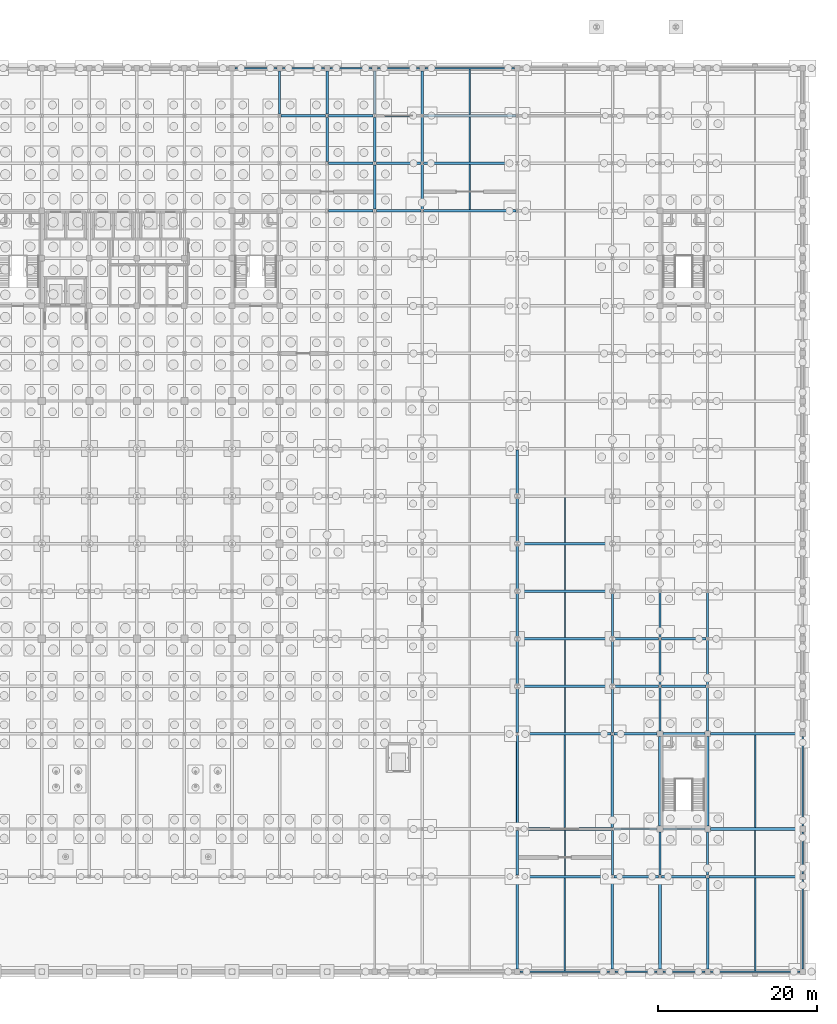
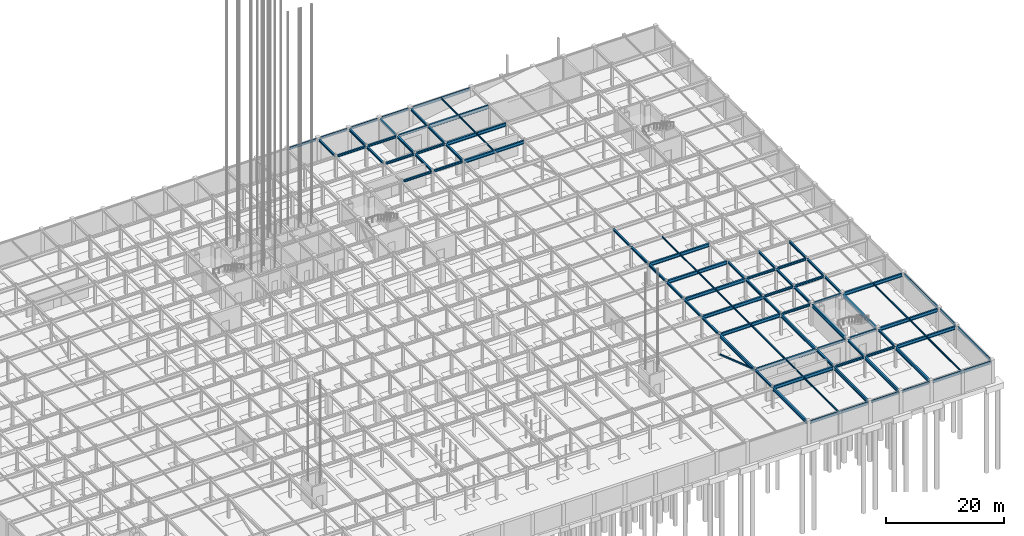
# One storey, part 40 of 69: 92 beams, 1 member.
"""IFC4 building model written with IfcOpenShell, lengths in metres."""

import ifcopenshell
import ifcopenshell.guid

model = None  # the IFC model being written
_history = None  # IfcOwnerHistory: only IFC2X3 demands one
_inside = {}  # id of a spatial element -> (the spatial element, [elements in it])
_under = {}  # id of a project, library or spatial element -> (it, [spatial elements below it])
_declared = {}  # id of a project -> (the project, [libraries it declares])
_typed = {}  # id of a type object -> (the type object, [elements of that type])
_made_of = {}  # id of a material, layer set ... -> (it, [elements and type objects made of it])


def new_model(schema):
    """Start an empty IFC model of exactly this schema.

    Asked for "IFC4X3", IfcOpenShell would pick the latest addendum, in which some entities
    have other attributes; the version numbers below select the first issue.
    IFC2X3 requires an IfcOwnerHistory on every rooted entity: one is made here for all.
    """
    global model, _history
    if schema == "IFC4X3":
        model = ifcopenshell.file(schema_version=(4, 3, 0, 0))
    else:
        model = ifcopenshell.file(schema=schema)
    _inside.clear()
    _under.clear()
    _declared.clear()
    _typed.clear()
    _made_of.clear()
    _history = None
    if model.schema == "IFC2X3":
        org = make("IfcOrganization", Name="unknown")
        user = make(
            "IfcPersonAndOrganization",
            ThePerson=make("IfcPerson", FamilyName="unknown"),
            TheOrganization=org,
        )
        app = make(
            "IfcApplication",
            ApplicationDeveloper=org,
            Version="unknown",
            ApplicationFullName="unknown",
            ApplicationIdentifier="unknown",
        )
        _history = make(
            "IfcOwnerHistory",
            OwningUser=user,
            OwningApplication=app,
            ChangeAction="ADDED",
            CreationDate=0,
        )
    return model


def make(cls, **values):
    """One entity of the class cls with the attributes given. An attribute that is None is left unset."""
    return model.create_entity(
        cls, **{name: value for name, value in values.items() if value is not None}
    )


def rooted(cls, **values):
    """An entity with a GlobalId (a new one), such as an element, a storey or a relation."""
    return make(cls, GlobalId=ifcopenshell.guid.new(), OwnerHistory=_history, **values)


def si_unit(unit_type, name, prefix=None):
    """IfcSIUnit, for example si_unit("LENGTHUNIT", "METRE", prefix="MILLI")."""
    return make("IfcSIUnit", UnitType=unit_type, Prefix=prefix, Name=name)


def assignment(units):
    """IfcUnitAssignment: the units of a project."""
    return None if units is None else make("IfcUnitAssignment", Units=units)


def point(xyz):
    """IfcCartesianPoint."""
    return None if xyz is None else make("IfcCartesianPoint", Coordinates=xyz)


def direction(xyz):
    """IfcDirection."""
    return None if xyz is None else make("IfcDirection", DirectionRatios=xyz)


def frame(location, z_axis=None, x_axis=None):
    """IfcAxis2Placement3D, a coordinate frame: its origin and axes. An axis left out is left unset."""
    return make(
        "IfcAxis2Placement3D",
        Location=point(location),
        Axis=direction(z_axis),
        RefDirection=direction(x_axis),
    )


def frame_2d(location, x_axis=None):
    """IfcAxis2Placement2D, a coordinate frame in the plane: its origin and x axis."""
    return make(
        "IfcAxis2Placement2D", Location=point(location), RefDirection=direction(x_axis)
    )


def origin():
    """The frame at (0, 0, 0) with its axes left unset."""
    return frame((0.0, 0.0, 0.0))


def origin_2d():
    """The frame at (0, 0) in the plane with its x axis left unset."""
    return frame_2d((0.0, 0.0))


def place(relative_to, where):
    """IfcLocalPlacement: puts the frame where relative to a parent placement (None: the world)."""
    return make(
        "IfcLocalPlacement", PlacementRelTo=relative_to, RelativePlacement=where
    )


def context(
    kind, dimensions, precision=None, world=None, true_north=None, identifier=None
):
    """IfcGeometricRepresentationContext, for example the 3D "Model" context."""
    return make(
        "IfcGeometricRepresentationContext",
        ContextIdentifier=identifier,
        ContextType=kind,
        CoordinateSpaceDimension=dimensions,
        Precision=precision,
        WorldCoordinateSystem=world,
        TrueNorth=true_north,
    )


def subcontext(parent, identifier, kind, view, scale=None):
    """IfcGeometricRepresentationSubContext, for example "Body" below "Model"."""
    return make(
        "IfcGeometricRepresentationSubContext",
        ContextIdentifier=identifier,
        ContextType=kind,
        ParentContext=parent,
        TargetScale=scale,
        TargetView=view,
    )


def project(units=None, contexts=None):
    """IfcProject with its units and contexts."""
    return rooted(
        "IfcProject",
        Name="project",
        RepresentationContexts=contexts,
        UnitsInContext=assignment(units),
    )


def spatial(cls, under=None, at=None, **own):
    """A site, building, storey or space (cls), placed at a placement, below another one or the project."""
    s = rooted(cls, ObjectPlacement=at, **own)
    if under is not None:
        _under.setdefault(under.id(), (under, []))[1].append(s)
    return s


def profile(cls, at=None, kind="AREA", **sizes):
    """A parametric profile (cls). Its sizes go by their IFC names, for example OverallWidth=200.0."""
    return make(cls, ProfileType=kind, Position=at, **sizes)


def hollow_rectangle(**sizes):
    """IfcRectangleHollowProfileDef."""
    return profile("IfcRectangleHollowProfileDef", **sizes)


def i_section(**sizes):
    """IfcIShapeProfileDef."""
    return profile("IfcIShapeProfileDef", **sizes)


def extrude(swept, where, along, depth):
    """IfcExtrudedAreaSolid: the profile swept, set in the frame where, extruded along a direction by depth."""
    return make(
        "IfcExtrudedAreaSolid",
        SweptArea=swept,
        Position=where,
        ExtrudedDirection=direction(along),
        Depth=depth,
    )


def shape(context_of_items, identifier, shape_type, items):
    """IfcShapeRepresentation: the items that make up one representation, for example the "Body"."""
    return make(
        "IfcShapeRepresentation",
        ContextOfItems=context_of_items,
        RepresentationIdentifier=identifier,
        RepresentationType=shape_type,
        Items=items,
    )


def material(Name=None, Category=None):
    """IfcMaterial."""
    return make("IfcMaterial", Name=Name, Category=Category)


def material_profile(
    of_material, cross_section, Name=None, Category=None, Priority=None
):
    """IfcMaterialProfile: a cross section and its material."""
    return make(
        "IfcMaterialProfile",
        Name=Name,
        Material=of_material,
        Profile=cross_section,
        Priority=Priority,
        Category=Category,
    )


def profile_set(profiles, Name=None, composite=None):
    """IfcMaterialProfileSet."""
    return make(
        "IfcMaterialProfileSet",
        Name=Name,
        MaterialProfiles=profiles,
        CompositeProfile=composite,
    )


def made_of(thing, what):
    """Note that an element or type object is made of a material, layer set ...; save() writes the relation."""
    if what is not None:
        _made_of.setdefault(what.id(), (what, []))[1].append(thing)
    return thing


def type_object(cls, material=None, **own):
    """A type object (cls), such as IfcWallType, which elements share."""
    return made_of(rooted(cls, **own), material)


def element(
    cls,
    number,
    at=None,
    inside=None,
    cuts=None,
    type_object=None,
    material=None,
    context=None,
    identifier="Body",
    shape_type=None,
    held_by="IfcProductDefinitionShape",
    body=None,
    shapes=None,
    **own,
):
    """One element of the class cls, such as IfcWall. Its Tag is "e" and its number.

    at: its placement. inside: the storey or other place that contains it. cuts: it is an
    opening in that element (IfcRelVoidsElement). A single representation is given by context,
    identifier, shape_type and body (its items); several are given by shapes. held_by: the class
    of the entity that holds the representations. save() writes the other relations.
    """
    e = rooted(cls, Tag="e%d" % number, ObjectPlacement=at, **own)
    if body is not None:
        shapes = [shape(context, identifier, shape_type, body)]
    if shapes is not None:
        e.Representation = make(held_by, Representations=shapes)
    if inside is not None:
        _inside.setdefault(inside.id(), (inside, []))[1].append(e)
    if cuts is not None:
        rooted(
            "IfcRelVoidsElement", RelatingBuildingElement=cuts, RelatedOpeningElement=e
        )
    if type_object is not None:
        _typed.setdefault(type_object.id(), (type_object, []))[1].append(e)
    return made_of(e, material)


def aggregate(whole, parts):
    """IfcRelAggregates: a whole, such as a stair, and the parts it consists of."""
    return rooted("IfcRelAggregates", RelatingObject=whole, RelatedObjects=parts)


def save(model, path):
    """Write the relations noted so far, then the file.

    IfcRelAggregates (storeys below a building ...), IfcRelContainedInSpatialStructure (elements
    in a storey), IfcRelDefinesByType, IfcRelAssociatesMaterial and IfcRelDeclares: one each for
    every whole, place, type object, material and project.
    """
    for whole, parts in _under.values():
        aggregate(whole, parts)
    for where, things in _inside.values():
        rooted(
            "IfcRelContainedInSpatialStructure",
            RelatedElements=things,
            RelatingStructure=where,
        )
    for kind, things in _typed.values():
        rooted("IfcRelDefinesByType", RelatedObjects=things, RelatingType=kind)
    for what, things in _made_of.values():
        rooted("IfcRelAssociatesMaterial", RelatedObjects=things, RelatingMaterial=what)
    for by, libraries in _declared.values():
        rooted("IfcRelDeclares", RelatingContext=by, RelatedDefinitions=libraries)
    model.write(path)


model = new_model("IFC4")

# Units and contexts
model_context = context("Model", 3, precision=1e-05, world=origin(), true_north=direction((0.0, 1.0)))
body_context = subcontext(model_context, "Body", "Model", "MODEL_VIEW")
ifc_project = project(units=[si_unit("LENGTHUNIT", "METRE"), si_unit("AREAUNIT", "SQUARE_METRE"), si_unit("VOLUMEUNIT", "CUBIC_METRE"), si_unit("PLANEANGLEUNIT", "RADIAN"), si_unit("MASSUNIT", "GRAM", prefix="KILO")], contexts=[model_context])

# Site, building, storey
site_placement = place(None, origin())
site = spatial("IfcSite", under=ifc_project, at=site_placement, CompositionType="ELEMENT")
building_placement = place(site_placement, origin())
building = spatial("IfcBuilding", under=site, at=building_placement, Name="Zlatovratsky Civic Hall", CompositionType="ELEMENT")
storey_placement = place(building_placement, frame((0.0, 0.0, -4.800048828125)))
storey = spatial("IfcBuildingStorey", under=building, at=storey_placement, Name="B1", CompositionType="ELEMENT", Elevation=-4.800048828125)

# Beams
ifc_material = material(Name="Steel S355", Category="steel")
ifc_material_profile_1 = material_profile(ifc_material, i_section(OverallWidth=0.320068359375, OverallDepth=0.68310546875, WebThickness=0.012939453125, FlangeThickness=0.01904296875, FilletRadius=0.02587890625, at=origin_2d()), Name="70Sh1")
ifc_profile_set_1 = profile_set([ifc_material_profile_1], Name="Steel S355")
beam_type_1 = type_object("IfcBeamType", Name="Beam_HallGirder_70Sh1", PredefinedType="BEAM", material=ifc_profile_set_1)
beam_1_placement = place(storey_placement, frame((132.175048828125, 12.0, 4.138427734375), z_axis=(1.0, 0.0, 0.0), x_axis=(0.0, 1.0, 0.0)))
element("IfcBeam", 1, at=beam_1_placement, inside=storey, type_object=beam_type_1, Name="BM-0031", PredefinedType="BEAM", context=body_context, shape_type="SweptSolid", body=[
    extrude(i_section(OverallWidth=0.320068359375, OverallDepth=0.68310546875, WebThickness=0.012939453125, FlangeThickness=0.01904296875, FilletRadius=0.02587890625, at=origin_2d()), origin(), (0.0, 0.0, 1.0), 11.64990234375),
])
beam_2_placement = place(storey_placement, frame((156.175048828125, 12.0, 4.138427734375), z_axis=(1.0, 0.0, 0.0), x_axis=(0.0, 1.0, 0.0)))
element("IfcBeam", 2, at=beam_2_placement, inside=storey, type_object=beam_type_1, Name="BM-0034", PredefinedType="BEAM", context=body_context, shape_type="SweptSolid", body=[
    extrude(i_section(OverallWidth=0.320068359375, OverallDepth=0.68310546875, WebThickness=0.012939453125, FlangeThickness=0.01904296875, FilletRadius=0.02587890625, at=origin_2d()), origin(), (0.0, 0.0, 1.0), 11.474853515625),
])
beam_3_placement = place(storey_placement, frame((132.175048828125, 18.0, 4.138427734375), z_axis=(1.0, 0.0, 0.0), x_axis=(0.0, 1.0, 0.0)))
element("IfcBeam", 3, at=beam_3_placement, inside=storey, type_object=beam_type_1, Name="BM-0053", PredefinedType="BEAM", context=body_context, shape_type="SweptSolid", body=[
    extrude(i_section(OverallWidth=0.320068359375, OverallDepth=0.68310546875, WebThickness=0.012939453125, FlangeThickness=0.01904296875, FilletRadius=0.02587890625, at=origin_2d()), origin(), (0.0, 0.0, 1.0), 11.64990234375),
])
beam_4_placement = place(storey_placement, frame((156.35009765625, 18.0, 4.138427734375), z_axis=(1.0, 0.0, 0.0), x_axis=(0.0, 1.0, 0.0)))
element("IfcBeam", 4, at=beam_4_placement, inside=storey, type_object=beam_type_1, Name="BM-0056", PredefinedType="BEAM", context=body_context, shape_type="SweptSolid", body=[
    extrude(i_section(OverallWidth=0.320068359375, OverallDepth=0.68310546875, WebThickness=0.012939453125, FlangeThickness=0.01904296875, FilletRadius=0.02587890625, at=origin_2d()), origin(), (0.0, 0.0, 1.0), 11.2998046875),
])
beam_5_placement = place(storey_placement, frame((132.175048828125, 30.0, 4.138427734375), z_axis=(1.0, 0.0, 0.0), x_axis=(0.0, 1.0, 0.0)))
element("IfcBeam", 5, at=beam_5_placement, inside=storey, type_object=beam_type_1, Name="BM-0075", PredefinedType="BEAM", context=body_context, shape_type="SweptSolid", body=[
    extrude(i_section(OverallWidth=0.320068359375, OverallDepth=0.68310546875, WebThickness=0.012939453125, FlangeThickness=0.01904296875, FilletRadius=0.02587890625, at=origin_2d()), origin(), (0.0, 0.0, 1.0), 11.64990234375),
])
beam_6_placement = place(storey_placement, frame((156.35009765625, 30.0, 4.138427734375), z_axis=(1.0, 0.0, 0.0), x_axis=(0.0, 1.0, 0.0)))
element("IfcBeam", 6, at=beam_6_placement, inside=storey, type_object=beam_type_1, Name="BM-0078", PredefinedType="BEAM", context=body_context, shape_type="SweptSolid", body=[
    extrude(i_section(OverallWidth=0.320068359375, OverallDepth=0.68310546875, WebThickness=0.012939453125, FlangeThickness=0.01904296875, FilletRadius=0.02587890625, at=origin_2d()), origin(), (0.0, 0.0, 1.0), 11.2998046875),
])
for number, where, z_axis, x_axis, name in (
    (7, (132.175048828125, 36.0, 4.138427734375), (1.0, 0.0, 0.0), (0.0, 1.0, 0.0), "BM-0097"),
    (8, (132.175048828125, 42.0, 4.138427734375), (1.0, 0.0, 0.0), (0.0, 1.0, 0.0), "BM-0119"),
    (9, (132.175048828125, 48.0, 4.138427734375), (1.0, 0.0, 0.0), (0.0, 1.0, 0.0), "BM-0141"),
    (10, (132.175048828125, 54.0, 4.138427734375), (1.0, 0.0, 0.0), (0.0, 1.0, 0.0), "BM-0163"),
    (11, (120.175048828125, 96.0, 4.138427734375), (1.0, 0.0, 0.0), (0.0, 1.0, 0.0), "BM-0312"),
    (12, (120.175048828125, 102.0, 4.138427734375), (1.0, 0.0, 0.0), (0.0, 1.0, 0.0), "BM-0334"),
    (13, (120.175048828125, 108.0, 4.138427734375), (1.0, 0.0, 0.0), (0.0, 1.0, 0.0), "BM-0356"),
):
    element("IfcBeam", number, at=place(storey_placement, frame(where, z_axis=z_axis, x_axis=x_axis)), inside=storey, type_object=beam_type_1, Name=name, PredefinedType="BEAM", context=body_context, shape_type="SweptSolid", body=[
        extrude(i_section(OverallWidth=0.320068359375, OverallDepth=0.68310546875, WebThickness=0.012939453125, FlangeThickness=0.01904296875, FilletRadius=0.02587890625, at=origin_2d()), origin(), (0.0, 0.0, 1.0), 11.64990234375),
    ])
beam_7_placement = place(storey_placement, frame((132.0, 0.35009765625, 4.138427734375), z_axis=(0.0, 1.0, 0.0), x_axis=(-1.0, 0.0, 0.0)))
element("IfcBeam", 14, at=beam_7_placement, inside=storey, type_object=beam_type_1, Name="BM-0680", PredefinedType="BEAM", context=body_context, shape_type="SweptSolid", body=[
    extrude(i_section(OverallWidth=0.320068359375, OverallDepth=0.68310546875, WebThickness=0.012939453125, FlangeThickness=0.01904296875, FilletRadius=0.02587890625, at=origin_2d()), origin(), (0.0, 0.0, 1.0), 11.474853515625),
])
beam_8_placement = place(storey_placement, frame((132.0, 18.175048828125, 4.138427734375), z_axis=(0.0, 1.0, 0.0), x_axis=(-1.0, 0.0, 0.0)))
element("IfcBeam", 15, at=beam_8_placement, inside=storey, type_object=beam_type_1, Name="BM-0682", PredefinedType="BEAM", context=body_context, shape_type="SweptSolid", body=[
    extrude(i_section(OverallWidth=0.320068359375, OverallDepth=0.68310546875, WebThickness=0.012939453125, FlangeThickness=0.01904296875, FilletRadius=0.02587890625, at=origin_2d()), origin(), (0.0, 0.0, 1.0), 11.64990234375),
])
beam_9_placement = place(storey_placement, frame((144.0, 0.35009765625, 4.138427734375), z_axis=(0.0, 1.0, 0.0), x_axis=(-1.0, 0.0, 0.0)))
element("IfcBeam", 16, at=beam_9_placement, inside=storey, type_object=beam_type_1, Name="BM-0697", PredefinedType="BEAM", context=body_context, shape_type="SweptSolid", body=[
    extrude(i_section(OverallWidth=0.320068359375, OverallDepth=0.68310546875, WebThickness=0.012939453125, FlangeThickness=0.01904296875, FilletRadius=0.02587890625, at=origin_2d()), origin(), (0.0, 0.0, 1.0), 11.474853515625),
])
beam_10_placement = place(storey_placement, frame((144.0, 18.175048828125, 4.138427734375), z_axis=(0.0, 1.0, 0.0), x_axis=(-1.0, 0.0, 0.0)))
element("IfcBeam", 17, at=beam_10_placement, inside=storey, type_object=beam_type_1, Name="BM-0699", PredefinedType="BEAM", context=body_context, shape_type="SweptSolid", body=[
    extrude(i_section(OverallWidth=0.320068359375, OverallDepth=0.68310546875, WebThickness=0.012939453125, FlangeThickness=0.01904296875, FilletRadius=0.02587890625, at=origin_2d()), origin(), (0.0, 0.0, 1.0), 11.64990234375),
])
beam_11_placement = place(storey_placement, frame((150.0, 0.35009765625, 4.138427734375), z_axis=(0.0, 1.0, 0.0), x_axis=(-1.0, 0.0, 0.0)))
element("IfcBeam", 18, at=beam_11_placement, inside=storey, type_object=beam_type_1, Name="BM-0714", PredefinedType="BEAM", context=body_context, shape_type="SweptSolid", body=[
    extrude(i_section(OverallWidth=0.320068359375, OverallDepth=0.68310546875, WebThickness=0.012939453125, FlangeThickness=0.01904296875, FilletRadius=0.02587890625, at=origin_2d()), origin(), (0.0, 0.0, 1.0), 11.474853515625),
])
beam_12_placement = place(storey_placement, frame((150.0, 18.35009765625, 4.138427734375), z_axis=(0.0, 1.0, 0.0), x_axis=(-1.0, 0.0, 0.0)))
element("IfcBeam", 19, at=beam_12_placement, inside=storey, type_object=beam_type_1, Name="BM-0716", PredefinedType="BEAM", context=body_context, shape_type="SweptSolid", body=[
    extrude(i_section(OverallWidth=0.320068359375, OverallDepth=0.68310546875, WebThickness=0.012939453125, FlangeThickness=0.01904296875, FilletRadius=0.02587890625, at=origin_2d()), origin(), (0.0, 0.0, 1.0), 11.2998046875),
])
beam_13_placement = place(storey_placement, frame((156.0, 0.35009765625, 4.138427734375), z_axis=(0.0, 1.0, 0.0), x_axis=(-1.0, 0.0, 0.0)))
element("IfcBeam", 20, at=beam_13_placement, inside=storey, type_object=beam_type_1, Name="BM-0731", PredefinedType="BEAM", context=body_context, shape_type="SweptSolid", body=[
    extrude(i_section(OverallWidth=0.320068359375, OverallDepth=0.68310546875, WebThickness=0.012939453125, FlangeThickness=0.01904296875, FilletRadius=0.02587890625, at=origin_2d()), origin(), (0.0, 0.0, 1.0), 11.474853515625),
])
beam_14_placement = place(storey_placement, frame((156.0, 18.35009765625, 4.138427734375), z_axis=(0.0, 1.0, 0.0), x_axis=(-1.0, 0.0, 0.0)))
element("IfcBeam", 21, at=beam_14_placement, inside=storey, type_object=beam_type_1, Name="BM-0733", PredefinedType="BEAM", context=body_context, shape_type="SweptSolid", body=[
    extrude(i_section(OverallWidth=0.320068359375, OverallDepth=0.68310546875, WebThickness=0.012939453125, FlangeThickness=0.01904296875, FilletRadius=0.02587890625, at=origin_2d()), origin(), (0.0, 0.0, 1.0), 11.2998046875),
])
ifc_material_profile_2 = material_profile(ifc_material, i_section(OverallWidth=0.198974609375, OverallDepth=0.491943359375, WebThickness=0.0087890625, FlangeThickness=0.011962890625, FilletRadius=0.01611328125, at=origin_2d()), Name="50B1")
ifc_profile_set_2 = profile_set([ifc_material_profile_2], Name="Steel S355")
beam_type_2 = type_object("IfcBeamType", Name="Beam_Spandrel_50B1", PredefinedType="SPANDREL", material=ifc_profile_set_2)
for number, where, z_axis, x_axis, name in (
    (22, (144.35009765625, 0.0, 4.234130859375), (1.0, 0.0, 0.0), (0.0, 1.0, 0.0), "BM-0010"),
    (23, (150.35009765625, 0.0, 4.234130859375), (1.0, 0.0, 0.0), (0.0, 1.0, 0.0), "BM-0011"),
    (24, (96.35009765625, 114.0, 4.234130859375), (1.0, 0.0, 0.0), (0.0, 1.0, 0.0), "BM-0374"),
    (25, (102.35009765625, 114.0, 4.234130859375), (1.0, 0.0, 0.0), (0.0, 1.0, 0.0), "BM-0375"),
    (26, (108.35009765625, 114.0, 4.234130859375), (1.0, 0.0, 0.0), (0.0, 1.0, 0.0), "BM-0376"),
    (27, (114.35009765625, 114.0, 4.234130859375), (1.0, 0.0, 0.0), (0.0, 1.0, 0.0), "BM-0377"),
    (28, (168.0, 12.35009765625, 4.234130859375), (0.0, 1.0, 0.0), (-1.0, 0.0, 0.0), "BM-0749"),
):
    element("IfcBeam", number, at=place(storey_placement, frame(where, z_axis=z_axis, x_axis=x_axis)), inside=storey, type_object=beam_type_2, Name=name, PredefinedType="SPANDREL", context=body_context, shape_type="SweptSolid", body=[
        extrude(i_section(OverallWidth=0.198974609375, OverallDepth=0.491943359375, WebThickness=0.0087890625, FlangeThickness=0.011962890625, FilletRadius=0.01611328125, at=origin_2d()), origin(), (0.0, 0.0, 1.0), 5.2998046875),
    ])
ifc_material_profile_3 = material_profile(ifc_material, i_section(OverallWidth=0.198974609375, OverallDepth=0.593017578125, WebThickness=0.010498046875, FlangeThickness=0.014892578125, FilletRadius=0.01806640625, at=origin_2d()), Name="60B1")
ifc_profile_set_3 = profile_set([ifc_material_profile_3], Name="Steel S355")
beam_type_3 = type_object("IfcBeamType", Name="Beam_Spandrel_60B1", PredefinedType="SPANDREL", material=ifc_profile_set_3)
for number, where, z_axis, x_axis, name in (
    (29, (132.35009765625, 0.0, 4.18359375), (1.0, 0.0, 0.0), (0.0, 1.0, 0.0), "BM-0009"),
    (30, (156.35009765625, 0.0, 4.18359375), (1.0, 0.0, 0.0), (0.0, 1.0, 0.0), "BM-0012"),
    (31, (120.35009765625, 114.0, 4.18359375), (1.0, 0.0, 0.0), (0.0, 1.0, 0.0), "BM-0378"),
    (32, (168.0, 0.35009765625, 4.18359375), (0.0, 1.0, 0.0), (-1.0, 0.0, 0.0), "BM-0748"),
    (33, (168.0, 18.35009765625, 4.18359375), (0.0, 1.0, 0.0), (-1.0, 0.0, 0.0), "BM-0750"),
):
    element("IfcBeam", number, at=place(storey_placement, frame(where, z_axis=z_axis, x_axis=x_axis)), inside=storey, type_object=beam_type_3, Name=name, PredefinedType="SPANDREL", context=body_context, shape_type="SweptSolid", body=[
        extrude(i_section(OverallWidth=0.198974609375, OverallDepth=0.593017578125, WebThickness=0.010498046875, FlangeThickness=0.014892578125, FilletRadius=0.01806640625, at=origin_2d()), origin(), (0.0, 0.0, 1.0), 11.2998046875),
    ])
ifc_material_profile_4 = material_profile(ifc_material, i_section(OverallWidth=0.300048828125, OverallDepth=0.43994140625, WebThickness=0.010986328125, FlangeThickness=0.01806640625, FilletRadius=0.02197265625, at=origin_2d()), Name="45Sh1")
ifc_profile_set_4 = profile_set([ifc_material_profile_4], Name="Steel S355")
beam_type_4 = type_object("IfcBeamType", Name="Beam_TowerLow_45Sh1", PredefinedType="BEAM", material=ifc_profile_set_4)
for number, where, z_axis, x_axis, name in (
    (34, (144.175048828125, 12.0, 4.260009765625), (1.0, 0.0, 0.0), (0.0, 1.0, 0.0), "BM-0032"),
    (35, (150.175048828125, 12.0, 4.260009765625), (1.0, 0.0, 0.0), (0.0, 1.0, 0.0), "BM-0033"),
):
    element("IfcBeam", number, at=place(storey_placement, frame(where, z_axis=z_axis, x_axis=x_axis)), inside=storey, type_object=beam_type_4, Name=name, PredefinedType="BEAM", context=body_context, shape_type="SweptSolid", body=[
        extrude(i_section(OverallWidth=0.300048828125, OverallDepth=0.43994140625, WebThickness=0.010986328125, FlangeThickness=0.01806640625, FilletRadius=0.02197265625, at=origin_2d()), origin(), (0.0, 0.0, 1.0), 5.64990234375),
    ])
beam_15_placement = place(storey_placement, frame((144.175048828125, 18.0, 4.260009765625), z_axis=(1.0, 0.0, 0.0), x_axis=(0.0, 1.0, 0.0)))
element("IfcBeam", 36, at=beam_15_placement, inside=storey, type_object=beam_type_4, Name="BM-0054", PredefinedType="BEAM", context=body_context, shape_type="SweptSolid", body=[
    extrude(i_section(OverallWidth=0.300048828125, OverallDepth=0.43994140625, WebThickness=0.010986328125, FlangeThickness=0.01806640625, FilletRadius=0.02197265625, at=origin_2d()), origin(), (0.0, 0.0, 1.0), 5.474853515625),
])
beam_16_placement = place(storey_placement, frame((150.35009765625, 18.0, 4.260009765625), z_axis=(1.0, 0.0, 0.0), x_axis=(0.0, 1.0, 0.0)))
element("IfcBeam", 37, at=beam_16_placement, inside=storey, type_object=beam_type_4, Name="BM-0055", PredefinedType="BEAM", context=body_context, shape_type="SweptSolid", body=[
    extrude(i_section(OverallWidth=0.300048828125, OverallDepth=0.43994140625, WebThickness=0.010986328125, FlangeThickness=0.01806640625, FilletRadius=0.02197265625, at=origin_2d()), origin(), (0.0, 0.0, 1.0), 5.2998046875),
])
beam_17_placement = place(storey_placement, frame((144.175048828125, 30.0, 4.260009765625), z_axis=(1.0, 0.0, 0.0), x_axis=(0.0, 1.0, 0.0)))
element("IfcBeam", 38, at=beam_17_placement, inside=storey, type_object=beam_type_4, Name="BM-0076", PredefinedType="BEAM", context=body_context, shape_type="SweptSolid", body=[
    extrude(i_section(OverallWidth=0.300048828125, OverallDepth=0.43994140625, WebThickness=0.010986328125, FlangeThickness=0.01806640625, FilletRadius=0.02197265625, at=origin_2d()), origin(), (0.0, 0.0, 1.0), 5.474853515625),
])
beam_18_placement = place(storey_placement, frame((150.35009765625, 30.0, 4.260009765625), z_axis=(1.0, 0.0, 0.0), x_axis=(0.0, 1.0, 0.0)))
element("IfcBeam", 39, at=beam_18_placement, inside=storey, type_object=beam_type_4, Name="BM-0077", PredefinedType="BEAM", context=body_context, shape_type="SweptSolid", body=[
    extrude(i_section(OverallWidth=0.300048828125, OverallDepth=0.43994140625, WebThickness=0.010986328125, FlangeThickness=0.01806640625, FilletRadius=0.02197265625, at=origin_2d()), origin(), (0.0, 0.0, 1.0), 5.2998046875),
])
for number, where, z_axis, x_axis, name in (
    (40, (144.175048828125, 36.0, 4.260009765625), (1.0, 0.0, 0.0), (0.0, 1.0, 0.0), "BM-0098"),
    (41, (150.175048828125, 36.0, 4.260009765625), (1.0, 0.0, 0.0), (0.0, 1.0, 0.0), "BM-0099"),
    (42, (144.175048828125, 42.0, 4.260009765625), (1.0, 0.0, 0.0), (0.0, 1.0, 0.0), "BM-0120"),
    (43, (150.175048828125, 42.0, 4.260009765625), (1.0, 0.0, 0.0), (0.0, 1.0, 0.0), "BM-0121"),
):
    element("IfcBeam", number, at=place(storey_placement, frame(where, z_axis=z_axis, x_axis=x_axis)), inside=storey, type_object=beam_type_4, Name=name, PredefinedType="BEAM", context=body_context, shape_type="SweptSolid", body=[
        extrude(i_section(OverallWidth=0.300048828125, OverallDepth=0.43994140625, WebThickness=0.010986328125, FlangeThickness=0.01806640625, FilletRadius=0.02197265625, at=origin_2d()), origin(), (0.0, 0.0, 1.0), 5.64990234375),
    ])
beam_19_placement = place(storey_placement, frame((108.20458984375, 96.0, 4.260009765625), z_axis=(1.0, 0.0, 0.0), x_axis=(0.0, 1.0, 0.0)))
element("IfcBeam", 44, at=beam_19_placement, inside=storey, type_object=beam_type_4, Name="BM-0310", PredefinedType="BEAM", context=body_context, shape_type="SweptSolid", body=[
    extrude(i_section(OverallWidth=0.300048828125, OverallDepth=0.43994140625, WebThickness=0.010986328125, FlangeThickness=0.01806640625, FilletRadius=0.02197265625, at=origin_2d()), origin(), (0.0, 0.0, 1.0), 5.5908203125),
])
beam_20_placement = place(storey_placement, frame((114.20458984375, 96.0, 4.260009765625), z_axis=(1.0, 0.0, 0.0), x_axis=(0.0, 1.0, 0.0)))
element("IfcBeam", 45, at=beam_20_placement, inside=storey, type_object=beam_type_4, Name="BM-0311", PredefinedType="BEAM", context=body_context, shape_type="SweptSolid", body=[
    extrude(i_section(OverallWidth=0.300048828125, OverallDepth=0.43994140625, WebThickness=0.010986328125, FlangeThickness=0.01806640625, FilletRadius=0.02197265625, at=origin_2d()), origin(), (0.0, 0.0, 1.0), 5.620361328125),
])
beam_21_placement = place(storey_placement, frame((108.20458984375, 102.0, 4.260009765625), z_axis=(1.0, 0.0, 0.0), x_axis=(0.0, 1.0, 0.0)))
element("IfcBeam", 46, at=beam_21_placement, inside=storey, type_object=beam_type_4, Name="BM-0332", PredefinedType="BEAM", context=body_context, shape_type="SweptSolid", body=[
    extrude(i_section(OverallWidth=0.300048828125, OverallDepth=0.43994140625, WebThickness=0.010986328125, FlangeThickness=0.01806640625, FilletRadius=0.02197265625, at=origin_2d()), origin(), (0.0, 0.0, 1.0), 5.5908203125),
])
beam_22_placement = place(storey_placement, frame((114.20458984375, 102.0, 4.260009765625), z_axis=(1.0, 0.0, 0.0), x_axis=(0.0, 1.0, 0.0)))
element("IfcBeam", 47, at=beam_22_placement, inside=storey, type_object=beam_type_4, Name="BM-0333", PredefinedType="BEAM", context=body_context, shape_type="SweptSolid", body=[
    extrude(i_section(OverallWidth=0.300048828125, OverallDepth=0.43994140625, WebThickness=0.010986328125, FlangeThickness=0.01806640625, FilletRadius=0.02197265625, at=origin_2d()), origin(), (0.0, 0.0, 1.0), 5.620361328125),
])
for number, where, z_axis, x_axis, name in (
    (48, (102.20458984375, 108.0, 4.260009765625), (1.0, 0.0, 0.0), (0.0, 1.0, 0.0), "BM-0353"),
    (49, (108.20458984375, 108.0, 4.260009765625), (1.0, 0.0, 0.0), (0.0, 1.0, 0.0), "BM-0354"),
):
    element("IfcBeam", number, at=place(storey_placement, frame(where, z_axis=z_axis, x_axis=x_axis)), inside=storey, type_object=beam_type_4, Name=name, PredefinedType="BEAM", context=body_context, shape_type="SweptSolid", body=[
        extrude(i_section(OverallWidth=0.300048828125, OverallDepth=0.43994140625, WebThickness=0.010986328125, FlangeThickness=0.01806640625, FilletRadius=0.02197265625, at=origin_2d()), origin(), (0.0, 0.0, 1.0), 5.5908203125),
    ])
beam_23_placement = place(storey_placement, frame((114.20458984375, 108.0, 4.260009765625), z_axis=(1.0, 0.0, 0.0), x_axis=(0.0, 1.0, 0.0)))
element("IfcBeam", 50, at=beam_23_placement, inside=storey, type_object=beam_type_4, Name="BM-0355", PredefinedType="BEAM", context=body_context, shape_type="SweptSolid", body=[
    extrude(i_section(OverallWidth=0.300048828125, OverallDepth=0.43994140625, WebThickness=0.010986328125, FlangeThickness=0.01806640625, FilletRadius=0.02197265625, at=origin_2d()), origin(), (0.0, 0.0, 1.0), 5.620361328125),
])
beam_24_placement = place(storey_placement, frame((102.0, 108.214599609375, 4.260009765625), z_axis=(0.0, 1.0, 0.0), x_axis=(-1.0, 0.0, 0.0)))
element("IfcBeam", 51, at=beam_24_placement, inside=storey, type_object=beam_type_4, Name="BM-0629", PredefinedType="BEAM", context=body_context, shape_type="SweptSolid", body=[
    extrude(i_section(OverallWidth=0.300048828125, OverallDepth=0.43994140625, WebThickness=0.010986328125, FlangeThickness=0.01806640625, FilletRadius=0.02197265625, at=origin_2d()), origin(), (0.0, 0.0, 1.0), 5.435302734375),
])
beam_25_placement = place(storey_placement, frame((108.0, 102.214599609375, 4.260009765625), z_axis=(0.0, 1.0, 0.0), x_axis=(-1.0, 0.0, 0.0)))
element("IfcBeam", 52, at=beam_25_placement, inside=storey, type_object=beam_type_4, Name="BM-0644", PredefinedType="BEAM", context=body_context, shape_type="SweptSolid", body=[
    extrude(i_section(OverallWidth=0.300048828125, OverallDepth=0.43994140625, WebThickness=0.010986328125, FlangeThickness=0.01806640625, FilletRadius=0.02197265625, at=origin_2d()), origin(), (0.0, 0.0, 1.0), 5.57080078125),
])
beam_26_placement = place(storey_placement, frame((108.0, 108.214599609375, 4.260009765625), z_axis=(0.0, 1.0, 0.0), x_axis=(-1.0, 0.0, 0.0)))
element("IfcBeam", 53, at=beam_26_placement, inside=storey, type_object=beam_type_4, Name="BM-0645", PredefinedType="BEAM", context=body_context, shape_type="SweptSolid", body=[
    extrude(i_section(OverallWidth=0.300048828125, OverallDepth=0.43994140625, WebThickness=0.010986328125, FlangeThickness=0.01806640625, FilletRadius=0.02197265625, at=origin_2d()), origin(), (0.0, 0.0, 1.0), 5.435302734375),
])
for number, where, z_axis, x_axis, name in (
    (54, (114.0, 96.214599609375, 4.260009765625), (0.0, 1.0, 0.0), (-1.0, 0.0, 0.0), "BM-0660"),
    (55, (114.0, 102.214599609375, 4.260009765625), (0.0, 1.0, 0.0), (-1.0, 0.0, 0.0), "BM-0661"),
):
    element("IfcBeam", number, at=place(storey_placement, frame(where, z_axis=z_axis, x_axis=x_axis)), inside=storey, type_object=beam_type_4, Name=name, PredefinedType="BEAM", context=body_context, shape_type="SweptSolid", body=[
        extrude(i_section(OverallWidth=0.300048828125, OverallDepth=0.43994140625, WebThickness=0.010986328125, FlangeThickness=0.01806640625, FilletRadius=0.02197265625, at=origin_2d()), origin(), (0.0, 0.0, 1.0), 5.57080078125),
    ])
beam_27_placement = place(storey_placement, frame((114.0, 108.214599609375, 4.260009765625), z_axis=(0.0, 1.0, 0.0), x_axis=(-1.0, 0.0, 0.0)))
element("IfcBeam", 56, at=beam_27_placement, inside=storey, type_object=beam_type_4, Name="BM-0662", PredefinedType="BEAM", context=body_context, shape_type="SweptSolid", body=[
    extrude(i_section(OverallWidth=0.300048828125, OverallDepth=0.43994140625, WebThickness=0.010986328125, FlangeThickness=0.01806640625, FilletRadius=0.02197265625, at=origin_2d()), origin(), (0.0, 0.0, 1.0), 5.435302734375),
])
for number, where, z_axis, x_axis, name in (
    (57, (120.0, 96.175048828125, 4.260009765625), (0.0, 1.0, 0.0), (-1.0, 0.0, 0.0), "BM-0677"),
    (58, (120.0, 102.175048828125, 4.260009765625), (0.0, 1.0, 0.0), (-1.0, 0.0, 0.0), "BM-0678"),
):
    element("IfcBeam", number, at=place(storey_placement, frame(where, z_axis=z_axis, x_axis=x_axis)), inside=storey, type_object=beam_type_4, Name=name, PredefinedType="BEAM", context=body_context, shape_type="SweptSolid", body=[
        extrude(i_section(OverallWidth=0.300048828125, OverallDepth=0.43994140625, WebThickness=0.010986328125, FlangeThickness=0.01806640625, FilletRadius=0.02197265625, at=origin_2d()), origin(), (0.0, 0.0, 1.0), 5.64990234375),
    ])
beam_28_placement = place(storey_placement, frame((120.0, 108.175048828125, 4.260009765625), z_axis=(0.0, 1.0, 0.0), x_axis=(-1.0, 0.0, 0.0)))
element("IfcBeam", 59, at=beam_28_placement, inside=storey, type_object=beam_type_4, Name="BM-0679", PredefinedType="BEAM", context=body_context, shape_type="SweptSolid", body=[
    extrude(i_section(OverallWidth=0.300048828125, OverallDepth=0.43994140625, WebThickness=0.010986328125, FlangeThickness=0.01806640625, FilletRadius=0.02197265625, at=origin_2d()), origin(), (0.0, 0.0, 1.0), 5.474853515625),
])
for number, where, z_axis, x_axis, name in (
    (60, (132.0, 12.175048828125, 4.260009765625), (0.0, 1.0, 0.0), (-1.0, 0.0, 0.0), "BM-0681"),
    (61, (132.0, 30.175048828125, 4.260009765625), (0.0, 1.0, 0.0), (-1.0, 0.0, 0.0), "BM-0683"),
    (62, (132.0, 36.175048828125, 4.260009765625), (0.0, 1.0, 0.0), (-1.0, 0.0, 0.0), "BM-0684"),
    (63, (132.0, 42.175048828125, 4.260009765625), (0.0, 1.0, 0.0), (-1.0, 0.0, 0.0), "BM-0685"),
    (64, (132.0, 48.175048828125, 4.260009765625), (0.0, 1.0, 0.0), (-1.0, 0.0, 0.0), "BM-0686"),
    (65, (132.0, 54.175048828125, 4.260009765625), (0.0, 1.0, 0.0), (-1.0, 0.0, 0.0), "BM-0687"),
    (66, (132.0, 60.175048828125, 4.260009765625), (0.0, 1.0, 0.0), (-1.0, 0.0, 0.0), "BM-0688"),
    (67, (144.0, 12.175048828125, 4.260009765625), (0.0, 1.0, 0.0), (-1.0, 0.0, 0.0), "BM-0698"),
    (68, (144.0, 30.175048828125, 4.260009765625), (0.0, 1.0, 0.0), (-1.0, 0.0, 0.0), "BM-0700"),
    (69, (144.0, 36.175048828125, 4.260009765625), (0.0, 1.0, 0.0), (-1.0, 0.0, 0.0), "BM-0701"),
    (70, (144.0, 42.175048828125, 4.260009765625), (0.0, 1.0, 0.0), (-1.0, 0.0, 0.0), "BM-0702"),
):
    element("IfcBeam", number, at=place(storey_placement, frame(where, z_axis=z_axis, x_axis=x_axis)), inside=storey, type_object=beam_type_4, Name=name, PredefinedType="BEAM", context=body_context, shape_type="SweptSolid", body=[
        extrude(i_section(OverallWidth=0.300048828125, OverallDepth=0.43994140625, WebThickness=0.010986328125, FlangeThickness=0.01806640625, FilletRadius=0.02197265625, at=origin_2d()), origin(), (0.0, 0.0, 1.0), 5.64990234375),
    ])
for number, where, z_axis, x_axis, name in (
    (71, (150.0, 12.175048828125, 4.260009765625), (0.0, 1.0, 0.0), (-1.0, 0.0, 0.0), "BM-0715"),
    (72, (150.0, 30.35009765625, 4.260009765625), (0.0, 1.0, 0.0), (-1.0, 0.0, 0.0), "BM-0717"),
):
    element("IfcBeam", number, at=place(storey_placement, frame(where, z_axis=z_axis, x_axis=x_axis)), inside=storey, type_object=beam_type_4, Name=name, PredefinedType="BEAM", context=body_context, shape_type="SweptSolid", body=[
        extrude(i_section(OverallWidth=0.300048828125, OverallDepth=0.43994140625, WebThickness=0.010986328125, FlangeThickness=0.01806640625, FilletRadius=0.02197265625, at=origin_2d()), origin(), (0.0, 0.0, 1.0), 5.474853515625),
    ])
for number, where, z_axis, x_axis, name in (
    (73, (150.0, 36.175048828125, 4.260009765625), (0.0, 1.0, 0.0), (-1.0, 0.0, 0.0), "BM-0718"),
    (74, (150.0, 42.175048828125, 4.260009765625), (0.0, 1.0, 0.0), (-1.0, 0.0, 0.0), "BM-0719"),
):
    element("IfcBeam", number, at=place(storey_placement, frame(where, z_axis=z_axis, x_axis=x_axis)), inside=storey, type_object=beam_type_4, Name=name, PredefinedType="BEAM", context=body_context, shape_type="SweptSolid", body=[
        extrude(i_section(OverallWidth=0.300048828125, OverallDepth=0.43994140625, WebThickness=0.010986328125, FlangeThickness=0.01806640625, FilletRadius=0.02197265625, at=origin_2d()), origin(), (0.0, 0.0, 1.0), 5.64990234375),
    ])
for number, where, z_axis, x_axis, name in (
    (75, (156.0, 12.175048828125, 4.260009765625), (0.0, 1.0, 0.0), (-1.0, 0.0, 0.0), "BM-0732"),
    (76, (156.0, 30.35009765625, 4.260009765625), (0.0, 1.0, 0.0), (-1.0, 0.0, 0.0), "BM-0734"),
):
    element("IfcBeam", number, at=place(storey_placement, frame(where, z_axis=z_axis, x_axis=x_axis)), inside=storey, type_object=beam_type_4, Name=name, PredefinedType="BEAM", context=body_context, shape_type="SweptSolid", body=[
        extrude(i_section(OverallWidth=0.300048828125, OverallDepth=0.43994140625, WebThickness=0.010986328125, FlangeThickness=0.01806640625, FilletRadius=0.02197265625, at=origin_2d()), origin(), (0.0, 0.0, 1.0), 5.474853515625),
    ])
for number, where, z_axis, x_axis, name in (
    (77, (156.0, 36.175048828125, 4.260009765625), (0.0, 1.0, 0.0), (-1.0, 0.0, 0.0), "BM-0735"),
    (78, (156.0, 42.175048828125, 4.260009765625), (0.0, 1.0, 0.0), (-1.0, 0.0, 0.0), "BM-0736"),
):
    element("IfcBeam", number, at=place(storey_placement, frame(where, z_axis=z_axis, x_axis=x_axis)), inside=storey, type_object=beam_type_4, Name=name, PredefinedType="BEAM", context=body_context, shape_type="SweptSolid", body=[
        extrude(i_section(OverallWidth=0.300048828125, OverallDepth=0.43994140625, WebThickness=0.010986328125, FlangeThickness=0.01806640625, FilletRadius=0.02197265625, at=origin_2d()), origin(), (0.0, 0.0, 1.0), 5.64990234375),
    ])

# Member
ifc_material_profile_5 = material_profile(ifc_material, hollow_rectangle(XDim=0.25, YDim=0.25, WallThickness=0.011962890625, at=origin_2d()), Name="SHS 250x250x12")
ifc_profile_set_5 = profile_set([ifc_material_profile_5], Name="Steel S355")
member_type = type_object("IfcMemberType", Name="Brace_Substructure_SHS250", PredefinedType="BRACE", material=ifc_profile_set_5)
member_placement = place(storey_placement, frame((132.0, 18.175048828125, 4.25), z_axis=(0.0, 0.945802693251, -0.324741844298), x_axis=(-1.0, 0.0, 0.0)))
element("IfcMember", 79, at=member_placement, inside=storey, type_object=member_type, Name="MB-0089", PredefinedType="BRACE", context=body_context, shape_type="SweptSolid", body=[
    extrude(hollow_rectangle(XDim=0.25, YDim=0.25, WallThickness=0.011962890625, at=origin_2d()), origin(), (0.0, 0.0, 1.0), 12.3173828125),
])

# Beams
ifc_material_profile_6 = material_profile(ifc_material, i_section(OverallWidth=0.175048828125, OverallDepth=0.35009765625, WebThickness=0.007080078125, FlangeThickness=0.010986328125, FilletRadius=0.013916015625, at=origin_2d()), Name="35B2")
ifc_profile_set_6 = profile_set([ifc_material_profile_6], Name="Steel S355")
beam_type_5 = type_object("IfcBeamType", Name="Joist_Heavy_35B2", PredefinedType="JOIST", material=ifc_profile_set_6)
for number, where, z_axis, x_axis, name in (
    (80, (138.0, 0.099609375, 4.304931640625), (0.0, 1.0, 0.0), (-1.0, 0.0, 0.0), "BM-0769"),
    (81, (162.0, 0.099609375, 4.304931640625), (0.0, 1.0, 0.0), (-1.0, 0.0, 0.0), "BM-0770"),
):
    element("IfcBeam", number, at=place(storey_placement, frame(where, z_axis=z_axis, x_axis=x_axis)), inside=storey, type_object=beam_type_5, Name=name, PredefinedType="JOIST", context=body_context, shape_type="SweptSolid", body=[
        extrude(i_section(OverallWidth=0.175048828125, OverallDepth=0.35009765625, WebThickness=0.007080078125, FlangeThickness=0.010986328125, FilletRadius=0.013916015625, at=origin_2d()), origin(), (0.0, 0.0, 1.0), 11.740478515625),
    ])
for number, where, z_axis, x_axis, name in (
    (82, (138.0, 18.159912109375, 4.304931640625), (0.0, 1.0, 0.0), (-1.0, 0.0, 0.0), "BM-0781"),
    (83, (162.0, 18.159912109375, 4.304931640625), (0.0, 1.0, 0.0), (-1.0, 0.0, 0.0), "BM-0782"),
):
    element("IfcBeam", number, at=place(storey_placement, frame(where, z_axis=z_axis, x_axis=x_axis)), inside=storey, type_object=beam_type_5, Name=name, PredefinedType="JOIST", context=body_context, shape_type="SweptSolid", body=[
        extrude(i_section(OverallWidth=0.175048828125, OverallDepth=0.35009765625, WebThickness=0.007080078125, FlangeThickness=0.010986328125, FilletRadius=0.013916015625, at=origin_2d()), origin(), (0.0, 0.0, 1.0), 11.68017578125),
    ])
ifc_material_profile_7 = material_profile(ifc_material, i_section(OverallWidth=0.14990234375, OverallDepth=0.300048828125, WebThickness=0.006591796875, FlangeThickness=0.009033203125, FilletRadius=0.012939453125, at=origin_2d()), Name="30B2")
ifc_profile_set_7 = profile_set([ifc_material_profile_7], Name="Steel S355")
beam_type_6 = type_object("IfcBeamType", Name="Joist_Podium_30B2", PredefinedType="JOIST", material=ifc_profile_set_7)
for number, where, z_axis, x_axis, name in (
    (84, (138.0, 12.159912109375, 4.330078125), (0.0, 1.0, 0.0), (-1.0, 0.0, 0.0), "BM-0775"),
    (85, (162.0, 12.159912109375, 4.330078125), (0.0, 1.0, 0.0), (-1.0, 0.0, 0.0), "BM-0776"),
    (86, (138.0, 30.159912109375, 4.330078125), (0.0, 1.0, 0.0), (-1.0, 0.0, 0.0), "BM-0787"),
    (87, (138.0, 36.159912109375, 4.330078125), (0.0, 1.0, 0.0), (-1.0, 0.0, 0.0), "BM-0793"),
    (88, (138.0, 42.159912109375, 4.330078125), (0.0, 1.0, 0.0), (-1.0, 0.0, 0.0), "BM-0799"),
    (89, (138.0, 48.159912109375, 4.330078125), (0.0, 1.0, 0.0), (-1.0, 0.0, 0.0), "BM-0805"),
    (90, (138.0, 54.159912109375, 4.330078125), (0.0, 1.0, 0.0), (-1.0, 0.0, 0.0), "BM-0811"),
    (91, (126.0, 96.159912109375, 4.330078125), (0.0, 1.0, 0.0), (-1.0, 0.0, 0.0), "BM-0854"),
    (92, (126.0, 102.159912109375, 4.330078125), (0.0, 1.0, 0.0), (-1.0, 0.0, 0.0), "BM-0860"),
):
    element("IfcBeam", number, at=place(storey_placement, frame(where, z_axis=z_axis, x_axis=x_axis)), inside=storey, type_object=beam_type_6, Name=name, PredefinedType="JOIST", context=body_context, shape_type="SweptSolid", body=[
        extrude(i_section(OverallWidth=0.14990234375, OverallDepth=0.300048828125, WebThickness=0.006591796875, FlangeThickness=0.009033203125, FilletRadius=0.012939453125, at=origin_2d()), origin(), (0.0, 0.0, 1.0), 5.68017578125),
    ])
beam_29_placement = place(storey_placement, frame((126.0, 108.159912109375, 4.330078125), z_axis=(0.0, 1.0, 0.0), x_axis=(-1.0, 0.0, 0.0)))
element("IfcBeam", 93, at=beam_29_placement, inside=storey, type_object=beam_type_6, Name="BM-0866", PredefinedType="JOIST", context=body_context, shape_type="SweptSolid", body=[
    extrude(i_section(OverallWidth=0.14990234375, OverallDepth=0.300048828125, WebThickness=0.006591796875, FlangeThickness=0.009033203125, FilletRadius=0.012939453125, at=origin_2d()), origin(), (0.0, 0.0, 1.0), 5.740478515625),
])

save(model, "model.ifc")
